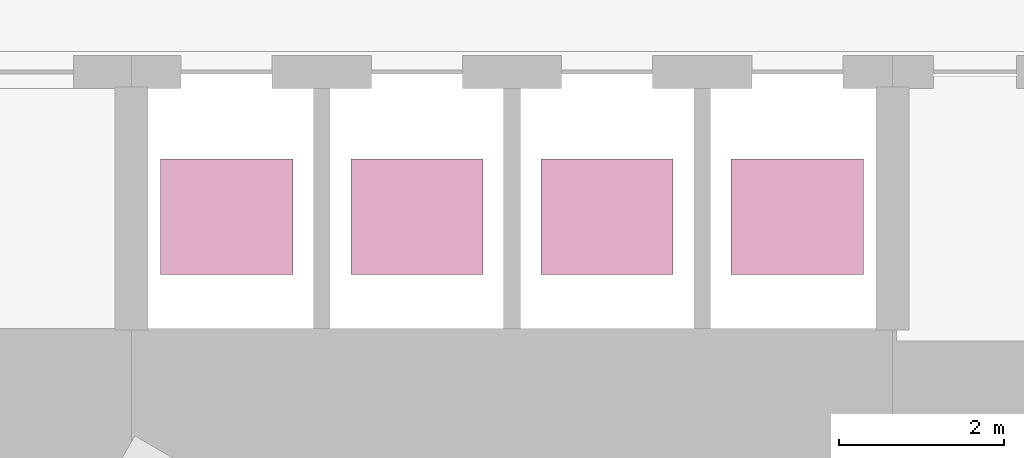
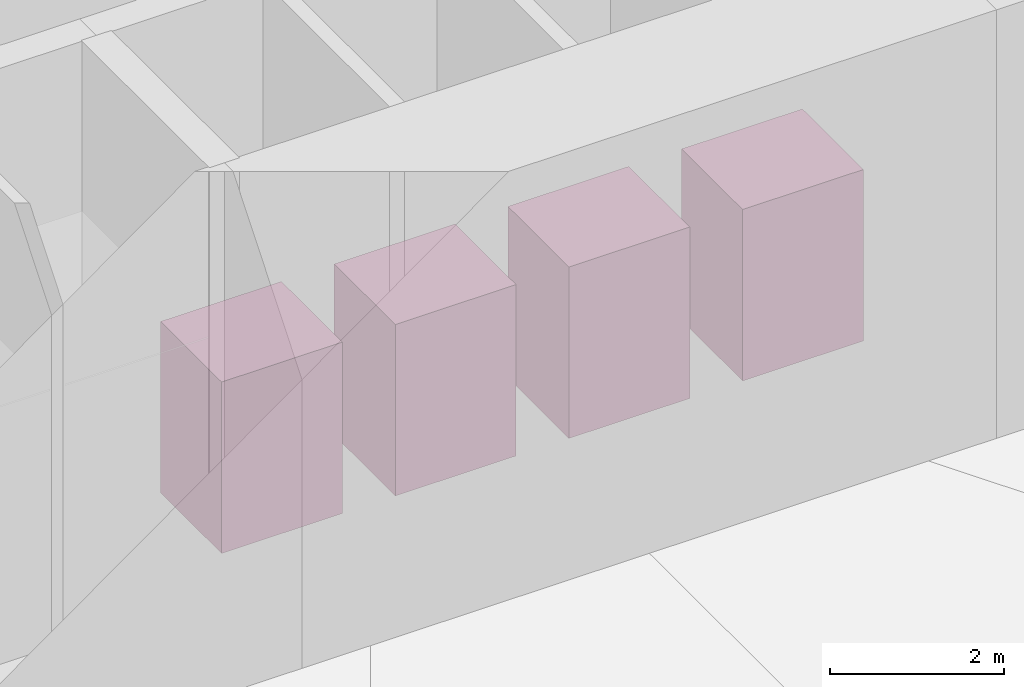
# One storey, part 20 of 20: 4 transport elements.
"""IFC4 building model written with IfcOpenShell, lengths in metres."""

import ifcopenshell
import ifcopenshell.guid

model = None  # the IFC model being written
_history = None  # IfcOwnerHistory: only IFC2X3 demands one
_inside = {}  # id of a spatial element -> (the spatial element, [elements in it])
_under = {}  # id of a project, library or spatial element -> (it, [spatial elements below it])
_declared = {}  # id of a project -> (the project, [libraries it declares])
_typed = {}  # id of a type object -> (the type object, [elements of that type])
_made_of = {}  # id of a material, layer set ... -> (it, [elements and type objects made of it])


def new_model(schema):
    """Start an empty IFC model of exactly this schema.

    Asked for "IFC4X3", IfcOpenShell would pick the latest addendum, in which some entities
    have other attributes; the version numbers below select the first issue.
    IFC2X3 requires an IfcOwnerHistory on every rooted entity: one is made here for all.
    """
    global model, _history
    if schema == "IFC4X3":
        model = ifcopenshell.file(schema_version=(4, 3, 0, 0))
    else:
        model = ifcopenshell.file(schema=schema)
    _inside.clear()
    _under.clear()
    _declared.clear()
    _typed.clear()
    _made_of.clear()
    _history = None
    if model.schema == "IFC2X3":
        org = make("IfcOrganization", Name="unknown")
        user = make(
            "IfcPersonAndOrganization",
            ThePerson=make("IfcPerson", FamilyName="unknown"),
            TheOrganization=org,
        )
        app = make(
            "IfcApplication",
            ApplicationDeveloper=org,
            Version="unknown",
            ApplicationFullName="unknown",
            ApplicationIdentifier="unknown",
        )
        _history = make(
            "IfcOwnerHistory",
            OwningUser=user,
            OwningApplication=app,
            ChangeAction="ADDED",
            CreationDate=0,
        )
    return model


def make(cls, **values):
    """One entity of the class cls with the attributes given. An attribute that is None is left unset."""
    return model.create_entity(
        cls, **{name: value for name, value in values.items() if value is not None}
    )


def rooted(cls, **values):
    """An entity with a GlobalId (a new one), such as an element, a storey or a relation."""
    return make(cls, GlobalId=ifcopenshell.guid.new(), OwnerHistory=_history, **values)


def si_unit(unit_type, name, prefix=None):
    """IfcSIUnit, for example si_unit("LENGTHUNIT", "METRE", prefix="MILLI")."""
    return make("IfcSIUnit", UnitType=unit_type, Prefix=prefix, Name=name)


def assignment(units):
    """IfcUnitAssignment: the units of a project."""
    return None if units is None else make("IfcUnitAssignment", Units=units)


def point(xyz):
    """IfcCartesianPoint."""
    return None if xyz is None else make("IfcCartesianPoint", Coordinates=xyz)


def direction(xyz):
    """IfcDirection."""
    return None if xyz is None else make("IfcDirection", DirectionRatios=xyz)


def frame(location, z_axis=None, x_axis=None):
    """IfcAxis2Placement3D, a coordinate frame: its origin and axes. An axis left out is left unset."""
    return make(
        "IfcAxis2Placement3D",
        Location=point(location),
        Axis=direction(z_axis),
        RefDirection=direction(x_axis),
    )


def frame_2d(location, x_axis=None):
    """IfcAxis2Placement2D, a coordinate frame in the plane: its origin and x axis."""
    return make(
        "IfcAxis2Placement2D", Location=point(location), RefDirection=direction(x_axis)
    )


def origin():
    """The frame at (0, 0, 0) with its axes left unset."""
    return frame((0.0, 0.0, 0.0))


def origin_2d():
    """The frame at (0, 0) in the plane with its x axis left unset."""
    return frame_2d((0.0, 0.0))


def place(relative_to, where):
    """IfcLocalPlacement: puts the frame where relative to a parent placement (None: the world)."""
    return make(
        "IfcLocalPlacement", PlacementRelTo=relative_to, RelativePlacement=where
    )


def context(
    kind, dimensions, precision=None, world=None, true_north=None, identifier=None
):
    """IfcGeometricRepresentationContext, for example the 3D "Model" context."""
    return make(
        "IfcGeometricRepresentationContext",
        ContextIdentifier=identifier,
        ContextType=kind,
        CoordinateSpaceDimension=dimensions,
        Precision=precision,
        WorldCoordinateSystem=world,
        TrueNorth=true_north,
    )


def subcontext(parent, identifier, kind, view, scale=None):
    """IfcGeometricRepresentationSubContext, for example "Body" below "Model"."""
    return make(
        "IfcGeometricRepresentationSubContext",
        ContextIdentifier=identifier,
        ContextType=kind,
        ParentContext=parent,
        TargetScale=scale,
        TargetView=view,
    )


def project(units=None, contexts=None):
    """IfcProject with its units and contexts."""
    return rooted(
        "IfcProject",
        Name="project",
        RepresentationContexts=contexts,
        UnitsInContext=assignment(units),
    )


def spatial(cls, under=None, at=None, **own):
    """A site, building, storey or space (cls), placed at a placement, below another one or the project."""
    s = rooted(cls, ObjectPlacement=at, **own)
    if under is not None:
        _under.setdefault(under.id(), (under, []))[1].append(s)
    return s


def profile(cls, at=None, kind="AREA", **sizes):
    """A parametric profile (cls). Its sizes go by their IFC names, for example OverallWidth=200.0."""
    return make(cls, ProfileType=kind, Position=at, **sizes)


def rectangle(**sizes):
    """IfcRectangleProfileDef."""
    return profile("IfcRectangleProfileDef", **sizes)


def extrude(swept, where, along, depth):
    """IfcExtrudedAreaSolid: the profile swept, set in the frame where, extruded along a direction by depth."""
    return make(
        "IfcExtrudedAreaSolid",
        SweptArea=swept,
        Position=where,
        ExtrudedDirection=direction(along),
        Depth=depth,
    )


def shape(context_of_items, identifier, shape_type, items):
    """IfcShapeRepresentation: the items that make up one representation, for example the "Body"."""
    return make(
        "IfcShapeRepresentation",
        ContextOfItems=context_of_items,
        RepresentationIdentifier=identifier,
        RepresentationType=shape_type,
        Items=items,
    )


def material(Name=None, Category=None):
    """IfcMaterial."""
    return make("IfcMaterial", Name=Name, Category=Category)


def made_of(thing, what):
    """Note that an element or type object is made of a material, layer set ...; save() writes the relation."""
    if what is not None:
        _made_of.setdefault(what.id(), (what, []))[1].append(thing)
    return thing


def type_object(cls, material=None, **own):
    """A type object (cls), such as IfcWallType, which elements share."""
    return made_of(rooted(cls, **own), material)


def element(
    cls,
    number,
    at=None,
    inside=None,
    cuts=None,
    type_object=None,
    material=None,
    context=None,
    identifier="Body",
    shape_type=None,
    held_by="IfcProductDefinitionShape",
    body=None,
    shapes=None,
    **own,
):
    """One element of the class cls, such as IfcWall. Its Tag is "e" and its number.

    at: its placement. inside: the storey or other place that contains it. cuts: it is an
    opening in that element (IfcRelVoidsElement). A single representation is given by context,
    identifier, shape_type and body (its items); several are given by shapes. held_by: the class
    of the entity that holds the representations. save() writes the other relations.
    """
    e = rooted(cls, Tag="e%d" % number, ObjectPlacement=at, **own)
    if body is not None:
        shapes = [shape(context, identifier, shape_type, body)]
    if shapes is not None:
        e.Representation = make(held_by, Representations=shapes)
    if inside is not None:
        _inside.setdefault(inside.id(), (inside, []))[1].append(e)
    if cuts is not None:
        rooted(
            "IfcRelVoidsElement", RelatingBuildingElement=cuts, RelatedOpeningElement=e
        )
    if type_object is not None:
        _typed.setdefault(type_object.id(), (type_object, []))[1].append(e)
    return made_of(e, material)


def aggregate(whole, parts):
    """IfcRelAggregates: a whole, such as a stair, and the parts it consists of."""
    return rooted("IfcRelAggregates", RelatingObject=whole, RelatedObjects=parts)


def save(model, path):
    """Write the relations noted so far, then the file.

    IfcRelAggregates (storeys below a building ...), IfcRelContainedInSpatialStructure (elements
    in a storey), IfcRelDefinesByType, IfcRelAssociatesMaterial and IfcRelDeclares: one each for
    every whole, place, type object, material and project.
    """
    for whole, parts in _under.values():
        aggregate(whole, parts)
    for where, things in _inside.values():
        rooted(
            "IfcRelContainedInSpatialStructure",
            RelatedElements=things,
            RelatingStructure=where,
        )
    for kind, things in _typed.values():
        rooted("IfcRelDefinesByType", RelatedObjects=things, RelatingType=kind)
    for what, things in _made_of.values():
        rooted("IfcRelAssociatesMaterial", RelatedObjects=things, RelatingMaterial=what)
    for by, libraries in _declared.values():
        rooted("IfcRelDeclares", RelatingContext=by, RelatedDefinitions=libraries)
    model.write(path)


model = new_model("IFC4")

# Units and contexts
model_context = context("Model", 3, precision=1e-05, world=origin(), true_north=direction((0.0, 1.0)))
body_context = subcontext(model_context, "Body", "Model", "MODEL_VIEW")
ifc_project = project(units=[si_unit("LENGTHUNIT", "METRE"), si_unit("AREAUNIT", "SQUARE_METRE"), si_unit("VOLUMEUNIT", "CUBIC_METRE"), si_unit("PLANEANGLEUNIT", "RADIAN"), si_unit("MASSUNIT", "GRAM", prefix="KILO")], contexts=[model_context])

# Site, building, storey
site_placement = place(None, origin())
site = spatial("IfcSite", under=ifc_project, at=site_placement, CompositionType="ELEMENT")
building_placement = place(site_placement, origin())
building = spatial("IfcBuilding", under=site, at=building_placement, Name="Qaws Media Tower", CompositionType="ELEMENT")
storey_placement = place(building_placement, origin())
storey = spatial("IfcBuildingStorey", under=building, at=storey_placement, Name="L00", CompositionType="ELEMENT", Elevation=0.0)

# Transport elements
ifc_material = material(Name="Stainless steel car", Category="steel")
transport_element_type = type_object("IfcTransportElementType", Name="Passenger lift car 1600x1400", PredefinedType="ELEVATOR", material=ifc_material)
for number, where, z_axis, x_axis, name in (
    (1, (56.550048828125, 46.75, 0.0), (0.0, 0.0, 1.0), (1.0, 0.0, 0.0), "P5 lift car"),
    (2, (58.85009765625, 46.75, 0.0), (0.0, 0.0, 1.0), (1.0, 0.0, 0.0), "P6 lift car"),
    (3, (61.14990234375, 46.75, 0.0), (0.0, 0.0, 1.0), (1.0, 0.0, 0.0), "P7 lift car"),
    (4, (63.449951171875, 46.75, 0.0), (0.0, 0.0, 1.0), (1.0, 0.0, 0.0), "P8 lift car"),
):
    element("IfcTransportElement", number, at=place(storey_placement, frame(where, z_axis=z_axis, x_axis=x_axis)), inside=storey, type_object=transport_element_type, Name=name, PredefinedType="ELEVATOR", context=body_context, shape_type="SweptSolid", body=[
        extrude(rectangle(XDim=1.60009765625, YDim=1.39990234375, at=origin_2d()), origin(), (0.0, 0.0, 1.0), 2.39990234375),
    ])

save(model, "model.ifc")
